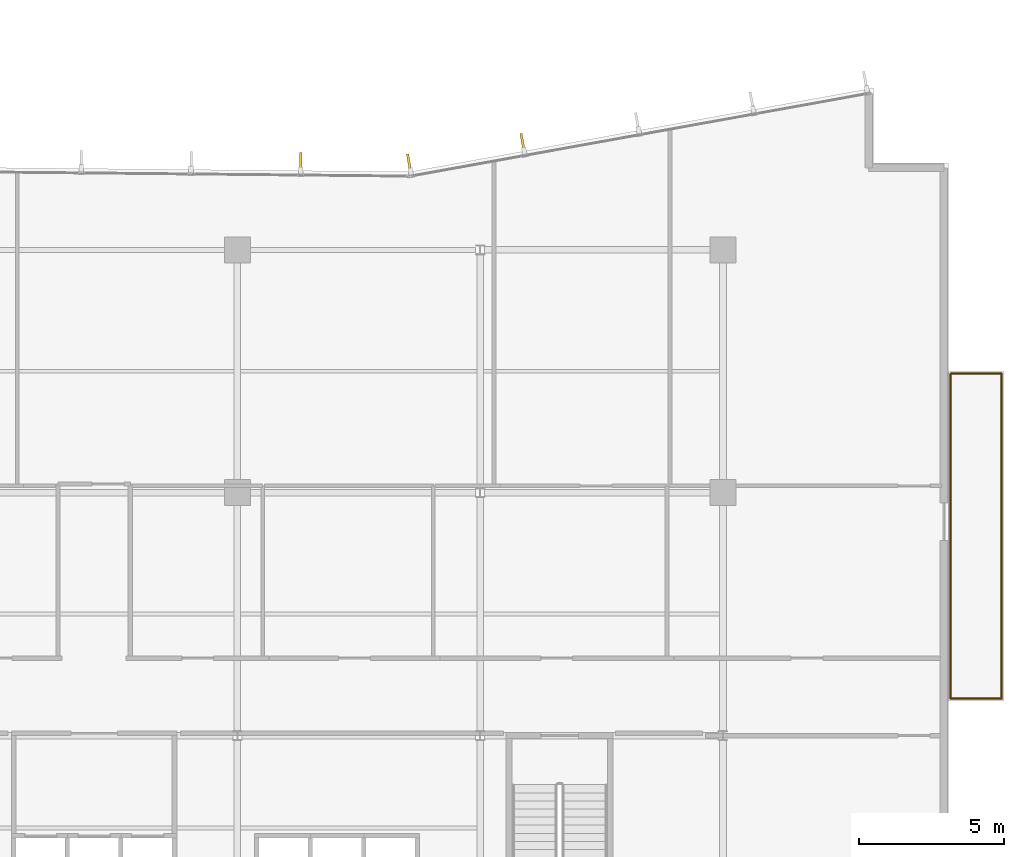
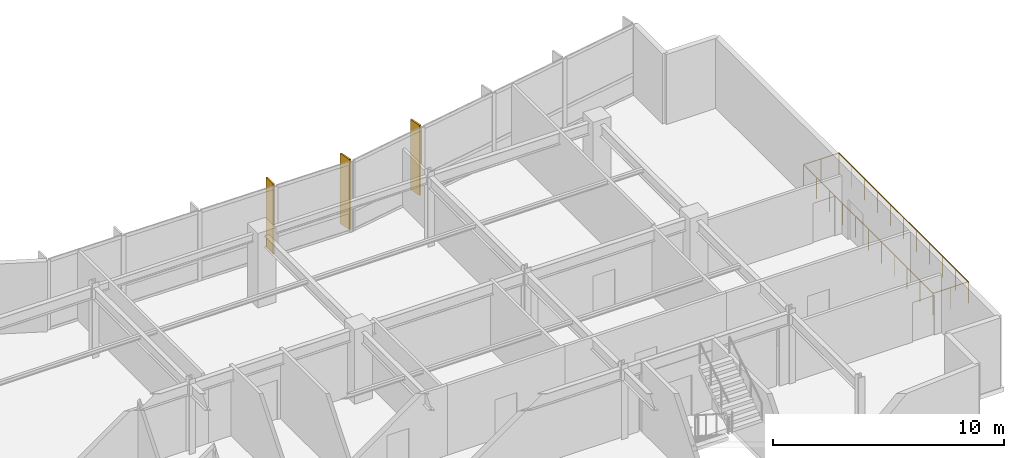
# One storey, part 16 of 18: 4 railings, 3 shading devices.
"""IFC4 building model written with IfcOpenShell, lengths in metres."""

from ifc_helpers import new_model, si_unit, direction, frame, origin, origin_2d, place, context, subcontext, project, spatial, rectangle, circle, extrude, material, layer, layer_set, type_object, element, save


model = new_model("IFC4")

# Units and contexts
model_context = context("Model", 3, precision=1e-05, world=origin(), true_north=direction((0.0, 1.0)))
body_context = subcontext(model_context, "Body", "Model", "MODEL_VIEW")
ifc_project = project(units=[si_unit("LENGTHUNIT", "METRE"), si_unit("AREAUNIT", "SQUARE_METRE"), si_unit("VOLUMEUNIT", "CUBIC_METRE"), si_unit("PLANEANGLEUNIT", "RADIAN"), si_unit("MASSUNIT", "GRAM", prefix="KILO")], contexts=[model_context])

# Site, building, storey
site_placement = place(None, origin())
site = spatial("IfcSite", under=ifc_project, at=site_placement, CompositionType="ELEMENT")
building_placement = place(site_placement, origin())
building = spatial("IfcBuilding", under=site, at=building_placement, Name="Varnakote Quay Hospital", CompositionType="ELEMENT")
storey_placement = place(building_placement, frame((0.0, 0.0, 73.85009765625)))
storey = spatial("IfcBuildingStorey", under=building, at=storey_placement, Name="L18", CompositionType="ELEMENT", Elevation=73.85009765625)

# Railings
ifc_material_1 = material(Name="Anodised aluminium 6063-T6 Bronze", Category="aluminium")
railing_type = type_object("IfcRailingType", Name="RLG-EXT-GUARD-1150", PredefinedType="GUARDRAIL", material=ifc_material_1)
railing_1_placement = place(storey_placement, frame((58.27587890625, 24.52001953125, 0.0)))
element("IfcRailing", 1, at=railing_1_placement, inside=storey, type_object=railing_type, Name="L18 Zigzag Prow Healing Terrace Safety Guard", PredefinedType="GUARDRAIL", context=body_context, shape_type="SweptSolid", body=[
    extrude(circle(Radius=0.02392578125, at=origin_2d()), frame((0.0, 0.0, 1.1259765625), z_axis=(1.0, 0.0, 0.0), x_axis=(0.0, 1.0, 0.0)), (0.0, 0.0, 1.0), 1.76416015625),
    extrude(circle(Radius=0.02099609375, at=origin_2d()), origin(), (0.0, 0.0, 1.0), 1.101806640625),
    extrude(circle(Radius=0.02099609375, at=origin_2d()), frame((0.882080078125, 0.0, 0.0)), (0.0, 0.0, 1.0), 1.101806640625),
    extrude(circle(Radius=0.02099609375, at=origin_2d()), frame((1.76416015625, 0.0, 0.0)), (0.0, 0.0, 1.0), 1.101806640625),
])
railing_2_placement = place(storey_placement, frame((60.0400390625, 24.52001953125, 0.0)))
element("IfcRailing", 2, at=railing_2_placement, inside=storey, type_object=railing_type, Name="L18 Zigzag Prow Healing Terrace Safety Guard", PredefinedType="GUARDRAIL", context=body_context, shape_type="SweptSolid", body=[
    extrude(circle(Radius=0.02392578125, at=origin_2d()), frame((0.0, 0.0, 1.1259765625), z_axis=(0.0, -1.0, 0.0), x_axis=(1.0, 0.0, 0.0)), (0.0, 0.0, 1.0), 11.239990234375),
    extrude(circle(Radius=0.02099609375, at=origin_2d()), origin(), (0.0, 0.0, 1.0), 1.101806640625),
    extrude(circle(Radius=0.02099609375, at=origin_2d()), frame((0.0, -1.1240234375, 0.0)), (0.0, 0.0, 1.0), 1.101806640625),
    extrude(circle(Radius=0.02099609375, at=origin_2d()), frame((0.0, -2.248046875, 0.0)), (0.0, 0.0, 1.0), 1.101806640625),
    extrude(circle(Radius=0.02099609375, at=origin_2d()), frame((0.0, -3.3720703125, 0.0)), (0.0, 0.0, 1.0), 1.101806640625),
    extrude(circle(Radius=0.02099609375, at=origin_2d()), frame((0.0, -4.49609375, 0.0)), (0.0, 0.0, 1.0), 1.101806640625),
    extrude(circle(Radius=0.02099609375, at=origin_2d()), frame((0.0, -5.6201171875, 0.0)), (0.0, 0.0, 1.0), 1.101806640625),
    extrude(circle(Radius=0.02099609375, at=origin_2d()), frame((0.0, -6.743896484375, 0.0)), (0.0, 0.0, 1.0), 1.101806640625),
    extrude(circle(Radius=0.02099609375, at=origin_2d()), frame((0.0, -7.867919921875, 0.0)), (0.0, 0.0, 1.0), 1.101806640625),
    extrude(circle(Radius=0.02099609375, at=origin_2d()), frame((0.0, -8.991943359375, 0.0)), (0.0, 0.0, 1.0), 1.101806640625),
    extrude(circle(Radius=0.02099609375, at=origin_2d()), frame((0.0, -10.115966796875, 0.0)), (0.0, 0.0, 1.0), 1.101806640625),
    extrude(circle(Radius=0.02099609375, at=origin_2d()), frame((0.0, -11.239990234375, 0.0)), (0.0, 0.0, 1.0), 1.101806640625),
])
railing_3_placement = place(storey_placement, frame((60.0400390625, 13.280029296875, 0.0)))
element("IfcRailing", 3, at=railing_3_placement, inside=storey, type_object=railing_type, Name="L18 Zigzag Prow Healing Terrace Safety Guard", PredefinedType="GUARDRAIL", context=body_context, shape_type="SweptSolid", body=[
    extrude(circle(Radius=0.02392578125, at=origin_2d()), frame((0.0, 0.0, 1.1259765625), z_axis=(-1.0, 0.0, 0.0), x_axis=(0.0, -1.0, 0.0)), (0.0, 0.0, 1.0), 1.76416015625),
    extrude(circle(Radius=0.02099609375, at=origin_2d()), origin(), (0.0, 0.0, 1.0), 1.101806640625),
    extrude(circle(Radius=0.02099609375, at=origin_2d()), frame((-0.882080078125, 0.0, 0.0)), (0.0, 0.0, 1.0), 1.101806640625),
    extrude(circle(Radius=0.02099609375, at=origin_2d()), frame((-1.76416015625, 0.0, 0.0)), (0.0, 0.0, 1.0), 1.101806640625),
])
railing_4_placement = place(storey_placement, frame((58.27587890625, 13.280029296875, 0.0)))
element("IfcRailing", 4, at=railing_4_placement, inside=storey, type_object=railing_type, Name="L18 Zigzag Prow Healing Terrace Safety Guard", PredefinedType="GUARDRAIL", context=body_context, shape_type="SweptSolid", body=[
    extrude(circle(Radius=0.02392578125, at=origin_2d()), frame((0.0, 0.0, 1.1259765625), z_axis=(0.0, 1.0, 0.0), x_axis=(-1.0, 0.0, 0.0)), (0.0, 0.0, 1.0), 11.239990234375),
    extrude(circle(Radius=0.02099609375, at=origin_2d()), origin(), (0.0, 0.0, 1.0), 1.101806640625),
    extrude(circle(Radius=0.02099609375, at=origin_2d()), frame((0.0, 1.1240234375, 0.0)), (0.0, 0.0, 1.0), 1.101806640625),
    extrude(circle(Radius=0.02099609375, at=origin_2d()), frame((0.0, 2.248046875, 0.0)), (0.0, 0.0, 1.0), 1.101806640625),
    extrude(circle(Radius=0.02099609375, at=origin_2d()), frame((0.0, 3.3720703125, 0.0)), (0.0, 0.0, 1.0), 1.101806640625),
    extrude(circle(Radius=0.02099609375, at=origin_2d()), frame((0.0, 4.49609375, 0.0)), (0.0, 0.0, 1.0), 1.101806640625),
    extrude(circle(Radius=0.02099609375, at=origin_2d()), frame((0.0, 5.6201171875, 0.0)), (0.0, 0.0, 1.0), 1.101806640625),
    extrude(circle(Radius=0.02099609375, at=origin_2d()), frame((0.0, 6.743896484375, 0.0)), (0.0, 0.0, 1.0), 1.101806640625),
    extrude(circle(Radius=0.02099609375, at=origin_2d()), frame((0.0, 7.867919921875, 0.0)), (0.0, 0.0, 1.0), 1.101806640625),
    extrude(circle(Radius=0.02099609375, at=origin_2d()), frame((0.0, 8.991943359375, 0.0)), (0.0, 0.0, 1.0), 1.101806640625),
    extrude(circle(Radius=0.02099609375, at=origin_2d()), frame((0.0, 10.115966796875, 0.0)), (0.0, 0.0, 1.0), 1.101806640625),
    extrude(circle(Radius=0.02099609375, at=origin_2d()), frame((0.0, 11.239990234375, 0.0)), (0.0, 0.0, 1.0), 1.101806640625),
])

# Shading devices
ifc_material_2 = material(Name="Anodised aluminium 6063-T6 Bronze", Category="aluminium")
ifc_layer = layer(ifc_material_2, 0.0849609375)
ifc_layer_set = layer_set([ifc_layer], Name="Anodised aluminium 6063-T6 Bronze")
shading_device_type = type_object("IfcShadingDeviceType", Name="SHD-BRONZE-FIN-620", PredefinedType="USERDEFINED", material=ifc_layer_set)
for number, where, z_axis, x_axis, name in (
    (5, (43.468505859375, 32.522705078125, 0.0), (0.0, 0.0, 1.0), (0.177771795263, -0.984071739666, 0.0), "L18 Anodised Bronze Vertical Shading FIN"),
    (6, (39.54296875, 31.81298828125, 0.0), (0.0, 0.0, 1.0), (0.177771795263, -0.984071739666, 0.0), "L18 Anodised Bronze Vertical Shading FIN"),
    (7, (35.798583984375, 31.85107421875, 0.0), (0.0, 0.0, 1.0), (-0.009773688199, -0.999952236369, 0.0), "L18 Anodised Bronze Vertical Shading FIN"),
):
    element("IfcShadingDevice", number, at=place(storey_placement, frame(where, z_axis=z_axis, x_axis=x_axis)), inside=storey, type_object=shading_device_type, Name=name, ObjectType="FIN", PredefinedType="USERDEFINED", context=body_context, shape_type="SweptSolid", body=[
        extrude(rectangle(XDim=0.6201171875, YDim=0.0849609375, at=origin_2d()), origin(), (0.0, 0.0, 1.0), 3.7099609375),
    ])

save(model, "model.ifc")
